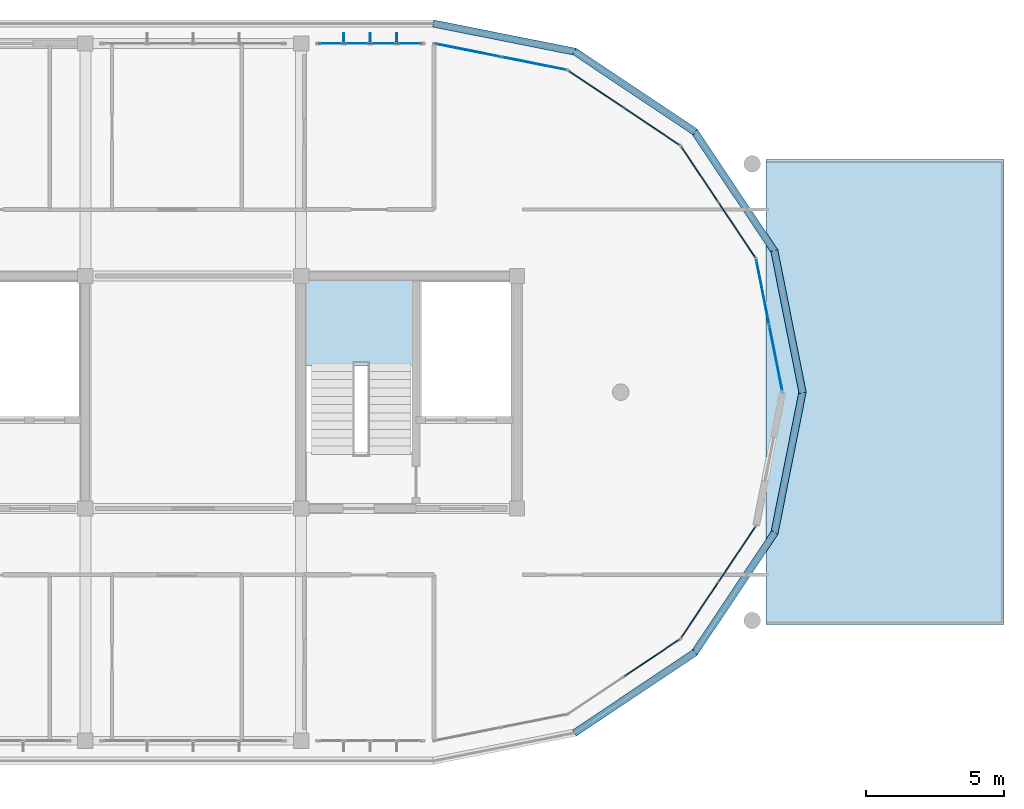
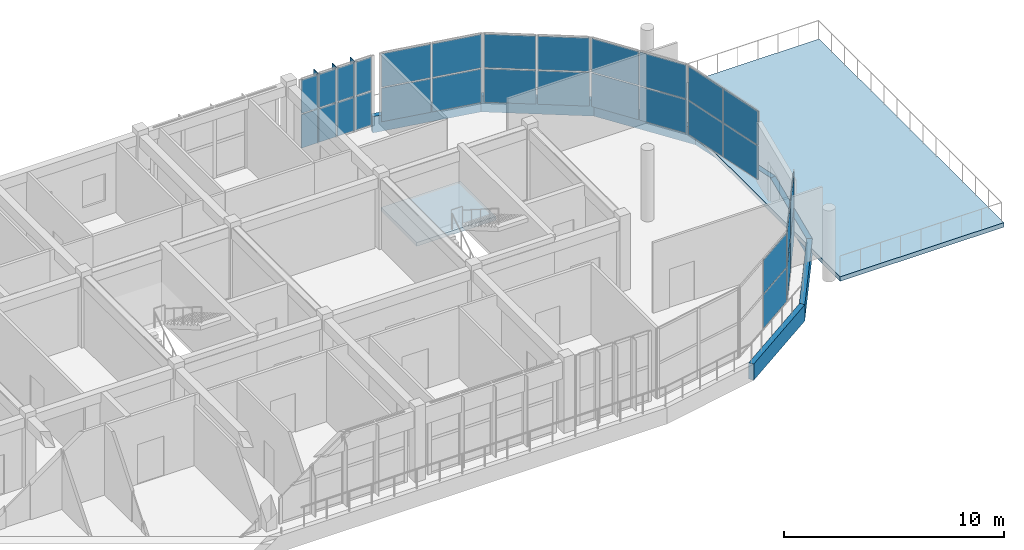
# One storey, part 37 of 44: 40 plates, 2 slabs, 8 elements without a shape of their own.
"""IFC4 building model written with IfcOpenShell, lengths in metres."""

from ifc_helpers import new_model, si_unit, direction, frame, origin, origin_2d, place, context, subcontext, project, spatial, polyline, rectangle, outline, extrude, material, layer, layer_set, type_object, element, aggregate, save


model = new_model("IFC4")

# Units and contexts
model_context = context("Model", 3, precision=1e-05, world=origin(), true_north=direction((0.0, 1.0)))
body_context = subcontext(model_context, "Body", "Model", "MODEL_VIEW")
ifc_project = project(units=[si_unit("LENGTHUNIT", "METRE"), si_unit("AREAUNIT", "SQUARE_METRE"), si_unit("VOLUMEUNIT", "CUBIC_METRE"), si_unit("PLANEANGLEUNIT", "RADIAN"), si_unit("MASSUNIT", "GRAM", prefix="KILO")], contexts=[model_context])

# Site, building, storey
site_placement = place(None, origin())
site = spatial("IfcSite", under=ifc_project, at=site_placement, CompositionType="ELEMENT")
building_placement = place(site_placement, origin())
building = spatial("IfcBuilding", under=site, at=building_placement, Name="Zizhar Promenade General Hospital", CompositionType="ELEMENT")
storey_placement = place(building_placement, frame((0.0, 0.0, 34.800048828125)))
storey = spatial("IfcBuildingStorey", under=building, at=storey_placement, Name="L08", CompositionType="ELEMENT", Elevation=34.800048828125)

# Curtain wall, plates
ifc_material_1 = material(Name="Anodised aluminium 6063-T6 and low-E glass", Category="aluminium")
ifc_layer_1 = layer(ifc_material_1, 0.159912109375)
ifc_layer_set_1 = layer_set([ifc_layer_1], Name="Anodised aluminium 6063-T6 and low-E glass")
curtain_wall_type_1 = type_object("IfcCurtainWallType", Name="CW-WARD-ARC", PredefinedType="NOTDEFINED", material=ifc_layer_set_1)
curtain_wall_1_placement = place(storey_placement, origin())
curtain_wall_1 = element("IfcCurtainWall", 1, at=curtain_wall_1_placement, inside=storey, type_object=curtain_wall_type_1, Name="Ward Semicircular End Glazing L08-02", PredefinedType="NOTDEFINED")
ifc_material_2 = material(Name="Low-E solar-control glass", Category="glass")
ifc_layer_2 = layer(ifc_material_2, 0.031982421875)
ifc_layer_set_2 = layer_set([ifc_layer_2], Name="Low-E solar-control glass")
plate_type_1 = type_object("IfcPlateType", Name="CWP-GLZ-32", PredefinedType="CURTAIN_PANEL", material=ifc_layer_set_2)
plate_1_placement = place(storey_placement, frame((106.275146484375, 2.999267578125, 0.06005859375), z_axis=(0.0, 0.0, 1.0), x_axis=(-0.831461514468, -0.555582352095, 0.0)))
plate_1 = element("IfcPlate", 2, at=plate_1_placement, type_object=plate_type_1, Name="CW-12 panel 1.1", PredefinedType="CURTAIN_PANEL", context=body_context, shape_type="SweptSolid", body=[
    extrude(rectangle(XDim=2.3681640625, YDim=0.031982421875, at=origin_2d()), origin(), (0.0, 0.0, 1.0), 1.860107421875),
])
plate_2_placement = place(storey_placement, frame((106.275146484375, 2.999267578125, 1.97998046875), z_axis=(0.0, 0.0, 1.0), x_axis=(-0.831461514468, -0.555582352095, 0.0)))
plate_2 = element("IfcPlate", 3, at=plate_2_placement, type_object=plate_type_1, Name="CW-12 panel 1.2", PredefinedType="CURTAIN_PANEL", context=body_context, shape_type="SweptSolid", body=[
    extrude(rectangle(XDim=2.3681640625, YDim=0.031982421875, at=origin_2d()), origin(), (0.0, 0.0, 1.0), 1.860107421875),
])
aggregate(curtain_wall_1, [plate_1, plate_2])

curtain_wall_2_placement = place(storey_placement, origin())
curtain_wall_2 = element("IfcCurtainWall", 4, at=curtain_wall_2_placement, inside=storey, type_object=curtain_wall_type_1, Name="Ward Semicircular End Glazing L08-03", PredefinedType="NOTDEFINED")
plate_3_placement = place(storey_placement, frame((109.349609375, 6.743896484375, 0.06005859375), z_axis=(0.0, 0.0, 1.0), x_axis=(-0.555582352095, -0.831461514468, 0.0)))
plate_3 = element("IfcPlate", 5, at=plate_3_placement, type_object=plate_type_1, Name="CW-12 panel 1.1", PredefinedType="CURTAIN_PANEL", context=body_context, shape_type="SweptSolid", body=[
    extrude(rectangle(XDim=2.3681640625, YDim=0.031982421875, at=origin_2d()), origin(), (0.0, 0.0, 1.0), 1.860107421875),
])
plate_4_placement = place(storey_placement, frame((109.349609375, 6.743896484375, 1.97998046875), z_axis=(0.0, 0.0, 1.0), x_axis=(-0.555582352095, -0.831461514468, 0.0)))
plate_4 = element("IfcPlate", 6, at=plate_4_placement, type_object=plate_type_1, Name="CW-12 panel 1.2", PredefinedType="CURTAIN_PANEL", context=body_context, shape_type="SweptSolid", body=[
    extrude(rectangle(XDim=2.3681640625, YDim=0.031982421875, at=origin_2d()), origin(), (0.0, 0.0, 1.0), 1.860107421875),
])
plate_5_placement = place(storey_placement, frame((108.000732421875, 4.724853515625, 0.06005859375), z_axis=(0.0, 0.0, 1.0), x_axis=(-0.555582352095, -0.831461514468, 0.0)))
plate_5 = element("IfcPlate", 7, at=plate_5_placement, type_object=plate_type_1, Name="CW-12 panel 2.1", PredefinedType="CURTAIN_PANEL", context=body_context, shape_type="SweptSolid", body=[
    extrude(rectangle(XDim=2.3681640625, YDim=0.031982421875, at=origin_2d()), origin(), (0.0, 0.0, 1.0), 1.860107421875),
])
plate_6_placement = place(storey_placement, frame((108.000732421875, 4.724853515625, 1.97998046875), z_axis=(0.0, 0.0, 1.0), x_axis=(-0.555582352095, -0.831461514468, 0.0)))
plate_6 = element("IfcPlate", 8, at=plate_6_placement, type_object=plate_type_1, Name="CW-12 panel 2.2", PredefinedType="CURTAIN_PANEL", context=body_context, shape_type="SweptSolid", body=[
    extrude(rectangle(XDim=2.3681640625, YDim=0.031982421875, at=origin_2d()), origin(), (0.0, 0.0, 1.0), 1.860107421875),
])
aggregate(curtain_wall_2, [plate_3, plate_4, plate_5, plate_6])

curtain_wall_3_placement = place(storey_placement, origin())
curtain_wall_3 = element("IfcCurtainWall", 9, at=curtain_wall_3_placement, inside=storey, type_object=curtain_wall_type_1, Name="Ward Semicircular End Glazing L08-05", PredefinedType="NOTDEFINED")
plate_7_placement = place(storey_placement, frame((110.28369140625, 16.20166015625, 0.06005859375), z_axis=(0.0, 0.0, 1.0), x_axis=(0.195087259275, -0.980785889615, 0.0)))
plate_7 = element("IfcPlate", 10, at=plate_7_placement, type_object=plate_type_1, Name="CW-12 panel 1.1", PredefinedType="CURTAIN_PANEL", context=body_context, shape_type="SweptSolid", body=[
    extrude(rectangle(XDim=2.3681640625, YDim=0.031982421875, at=origin_2d()), origin(), (0.0, 0.0, 1.0), 1.860107421875),
])
plate_8_placement = place(storey_placement, frame((110.28369140625, 16.20166015625, 1.97998046875), z_axis=(0.0, 0.0, 1.0), x_axis=(0.195087259275, -0.980785889615, 0.0)))
plate_8 = element("IfcPlate", 11, at=plate_8_placement, type_object=plate_type_1, Name="CW-12 panel 1.2", PredefinedType="CURTAIN_PANEL", context=body_context, shape_type="SweptSolid", body=[
    extrude(rectangle(XDim=2.3681640625, YDim=0.031982421875, at=origin_2d()), origin(), (0.0, 0.0, 1.0), 1.860107421875),
])
plate_9_placement = place(storey_placement, frame((110.75732421875, 13.820068359375, 0.06005859375), z_axis=(0.0, 0.0, 1.0), x_axis=(0.195087259275, -0.980785889615, 0.0)))
plate_9 = element("IfcPlate", 12, at=plate_9_placement, type_object=plate_type_1, Name="CW-12 panel 2.1", PredefinedType="CURTAIN_PANEL", context=body_context, shape_type="SweptSolid", body=[
    extrude(rectangle(XDim=2.3681640625, YDim=0.031982421875, at=origin_2d()), origin(), (0.0, 0.0, 1.0), 1.860107421875),
])
plate_10_placement = place(storey_placement, frame((110.75732421875, 13.820068359375, 1.97998046875), z_axis=(0.0, 0.0, 1.0), x_axis=(0.195087259275, -0.980785889615, 0.0)))
plate_10 = element("IfcPlate", 13, at=plate_10_placement, type_object=plate_type_1, Name="CW-12 panel 2.2", PredefinedType="CURTAIN_PANEL", context=body_context, shape_type="SweptSolid", body=[
    extrude(rectangle(XDim=2.3681640625, YDim=0.031982421875, at=origin_2d()), origin(), (0.0, 0.0, 1.0), 1.860107421875),
])
aggregate(curtain_wall_3, [plate_7, plate_8, plate_9, plate_10])

curtain_wall_4_placement = place(storey_placement, origin())
curtain_wall_4 = element("IfcCurtainWall", 14, at=curtain_wall_4_placement, inside=storey, type_object=curtain_wall_type_1, Name="Ward Semicircular End Glazing L08-06", PredefinedType="NOTDEFINED")
plate_11_placement = place(storey_placement, frame((108.000732421875, 20.47509765625, 0.06005859375), z_axis=(0.0, 0.0, 1.0), x_axis=(0.555582352095, -0.831461514468, 0.0)))
plate_11 = element("IfcPlate", 15, at=plate_11_placement, type_object=plate_type_1, Name="CW-12 panel 1.1", PredefinedType="CURTAIN_PANEL", context=body_context, shape_type="SweptSolid", body=[
    extrude(rectangle(XDim=2.3681640625, YDim=0.031982421875, at=origin_2d()), origin(), (0.0, 0.0, 1.0), 1.860107421875),
])
plate_12_placement = place(storey_placement, frame((108.000732421875, 20.47509765625, 1.97998046875), z_axis=(0.0, 0.0, 1.0), x_axis=(0.555582352095, -0.831461514468, 0.0)))
plate_12 = element("IfcPlate", 16, at=plate_12_placement, type_object=plate_type_1, Name="CW-12 panel 1.2", PredefinedType="CURTAIN_PANEL", context=body_context, shape_type="SweptSolid", body=[
    extrude(rectangle(XDim=2.3681640625, YDim=0.031982421875, at=origin_2d()), origin(), (0.0, 0.0, 1.0), 1.860107421875),
])
plate_13_placement = place(storey_placement, frame((109.349609375, 18.456298828125, 0.06005859375), z_axis=(0.0, 0.0, 1.0), x_axis=(0.555582352095, -0.831461514468, 0.0)))
plate_13 = element("IfcPlate", 17, at=plate_13_placement, type_object=plate_type_1, Name="CW-12 panel 2.1", PredefinedType="CURTAIN_PANEL", context=body_context, shape_type="SweptSolid", body=[
    extrude(rectangle(XDim=2.3681640625, YDim=0.031982421875, at=origin_2d()), origin(), (0.0, 0.0, 1.0), 1.860107421875),
])
plate_14_placement = place(storey_placement, frame((109.349609375, 18.456298828125, 1.97998046875), z_axis=(0.0, 0.0, 1.0), x_axis=(0.555582352095, -0.831461514468, 0.0)))
plate_14 = element("IfcPlate", 18, at=plate_14_placement, type_object=plate_type_1, Name="CW-12 panel 2.2", PredefinedType="CURTAIN_PANEL", context=body_context, shape_type="SweptSolid", body=[
    extrude(rectangle(XDim=2.3681640625, YDim=0.031982421875, at=origin_2d()), origin(), (0.0, 0.0, 1.0), 1.860107421875),
])
aggregate(curtain_wall_4, [plate_11, plate_12, plate_13, plate_14])

curtain_wall_5_placement = place(storey_placement, origin())
curtain_wall_5 = element("IfcCurtainWall", 19, at=curtain_wall_5_placement, inside=storey, type_object=curtain_wall_type_1, Name="Ward Semicircular End Glazing L08-07", PredefinedType="NOTDEFINED")
plate_15_placement = place(storey_placement, frame((104.256103515625, 23.5498046875, 0.06005859375), z_axis=(0.0, 0.0, 1.0), x_axis=(0.831461514468, -0.555582352095, 0.0)))
plate_15 = element("IfcPlate", 20, at=plate_15_placement, type_object=plate_type_1, Name="CW-12 panel 1.1", PredefinedType="CURTAIN_PANEL", context=body_context, shape_type="SweptSolid", body=[
    extrude(rectangle(XDim=2.3681640625, YDim=0.031982421875, at=origin_2d()), origin(), (0.0, 0.0, 1.0), 1.860107421875),
])
plate_16_placement = place(storey_placement, frame((104.256103515625, 23.5498046875, 1.97998046875), z_axis=(0.0, 0.0, 1.0), x_axis=(0.831461514468, -0.555582352095, 0.0)))
plate_16 = element("IfcPlate", 21, at=plate_16_placement, type_object=plate_type_1, Name="CW-12 panel 1.2", PredefinedType="CURTAIN_PANEL", context=body_context, shape_type="SweptSolid", body=[
    extrude(rectangle(XDim=2.3681640625, YDim=0.031982421875, at=origin_2d()), origin(), (0.0, 0.0, 1.0), 1.860107421875),
])
plate_17_placement = place(storey_placement, frame((106.275146484375, 22.20068359375, 0.06005859375), z_axis=(0.0, 0.0, 1.0), x_axis=(0.831461514468, -0.555582352095, 0.0)))
plate_17 = element("IfcPlate", 22, at=plate_17_placement, type_object=plate_type_1, Name="CW-12 panel 2.1", PredefinedType="CURTAIN_PANEL", context=body_context, shape_type="SweptSolid", body=[
    extrude(rectangle(XDim=2.3681640625, YDim=0.031982421875, at=origin_2d()), origin(), (0.0, 0.0, 1.0), 1.860107421875),
])
plate_18_placement = place(storey_placement, frame((106.275146484375, 22.20068359375, 1.97998046875), z_axis=(0.0, 0.0, 1.0), x_axis=(0.831461514468, -0.555582352095, 0.0)))
plate_18 = element("IfcPlate", 23, at=plate_18_placement, type_object=plate_type_1, Name="CW-12 panel 2.2", PredefinedType="CURTAIN_PANEL", context=body_context, shape_type="SweptSolid", body=[
    extrude(rectangle(XDim=2.3681640625, YDim=0.031982421875, at=origin_2d()), origin(), (0.0, 0.0, 1.0), 1.860107421875),
])
aggregate(curtain_wall_5, [plate_15, plate_16, plate_17, plate_18])

curtain_wall_6_placement = place(storey_placement, origin())
curtain_wall_6 = element("IfcCurtainWall", 24, at=curtain_wall_6_placement, inside=storey, type_object=curtain_wall_type_1, Name="Ward Semicircular End Glazing L08-08", PredefinedType="NOTDEFINED")
plate_19_placement = place(storey_placement, frame((99.6201171875, 24.957275390625, 0.06005859375), z_axis=(0.0, 0.0, 1.0), x_axis=(0.980785889615, -0.195087259275, 0.0)))
plate_19 = element("IfcPlate", 25, at=plate_19_placement, type_object=plate_type_1, Name="CW-12 panel 1.1", PredefinedType="CURTAIN_PANEL", context=body_context, shape_type="SweptSolid", body=[
    extrude(rectangle(XDim=2.3681640625, YDim=0.031982421875, at=origin_2d()), origin(), (0.0, 0.0, 1.0), 1.860107421875),
])
plate_20_placement = place(storey_placement, frame((99.6201171875, 24.957275390625, 1.97998046875), z_axis=(0.0, 0.0, 1.0), x_axis=(0.980785889615, -0.195087259275, 0.0)))
plate_20 = element("IfcPlate", 26, at=plate_20_placement, type_object=plate_type_1, Name="CW-12 panel 1.2", PredefinedType="CURTAIN_PANEL", context=body_context, shape_type="SweptSolid", body=[
    extrude(rectangle(XDim=2.3681640625, YDim=0.031982421875, at=origin_2d()), origin(), (0.0, 0.0, 1.0), 1.860107421875),
])
plate_21_placement = place(storey_placement, frame((102.001708984375, 24.483642578125, 0.06005859375), z_axis=(0.0, 0.0, 1.0), x_axis=(0.980785889615, -0.195087259275, 0.0)))
plate_21 = element("IfcPlate", 27, at=plate_21_placement, type_object=plate_type_1, Name="CW-12 panel 2.1", PredefinedType="CURTAIN_PANEL", context=body_context, shape_type="SweptSolid", body=[
    extrude(rectangle(XDim=2.3681640625, YDim=0.031982421875, at=origin_2d()), origin(), (0.0, 0.0, 1.0), 1.860107421875),
])
plate_22_placement = place(storey_placement, frame((102.001708984375, 24.483642578125, 1.97998046875), z_axis=(0.0, 0.0, 1.0), x_axis=(0.980785889615, -0.195087259275, 0.0)))
plate_22 = element("IfcPlate", 28, at=plate_22_placement, type_object=plate_type_1, Name="CW-12 panel 2.2", PredefinedType="CURTAIN_PANEL", context=body_context, shape_type="SweptSolid", body=[
    extrude(rectangle(XDim=2.3681640625, YDim=0.031982421875, at=origin_2d()), origin(), (0.0, 0.0, 1.0), 1.860107421875),
])
aggregate(curtain_wall_6, [plate_19, plate_20, plate_21, plate_22])

ifc_material_3 = material(Name="Anodised aluminium 6063-T6 and low-E glass", Category="aluminium")
ifc_layer_3 = layer(ifc_material_3, 0.159912109375)
ifc_layer_set_3 = layer_set([ifc_layer_3], Name="Anodised aluminium 6063-T6 and low-E glass")
curtain_wall_type_2 = type_object("IfcCurtainWallType", Name="CW-WARD-RIB", PredefinedType="NOTDEFINED", material=ifc_layer_set_3)
curtain_wall_7_placement = place(storey_placement, origin())
curtain_wall_7 = element("IfcCurtainWall", 29, at=curtain_wall_7_placement, inside=storey, type_object=curtain_wall_type_2, Name="Ward Ribbon Curtain Wall L08-8-6", PredefinedType="NOTDEFINED")
plate_23_placement = place(storey_placement, frame((94.679931640625, 25.199951171875, 0.06005859375), z_axis=(0.0, 0.0, 1.0), x_axis=(1.0, 0.0, 0.0)))
plate_23 = element("IfcPlate", 30, at=plate_23_placement, type_object=plate_type_1, Name="CW-13 panel 1.1", PredefinedType="CURTAIN_PANEL", context=body_context, shape_type="SweptSolid", body=[
    extrude(rectangle(XDim=0.840087890625, YDim=0.031982421875, at=origin_2d()), origin(), (0.0, 0.0, 1.0), 1.860107421875),
])
plate_24_placement = place(storey_placement, frame((94.679931640625, 25.199951171875, 1.97998046875), z_axis=(0.0, 0.0, 1.0), x_axis=(1.0, 0.0, 0.0)))
plate_24 = element("IfcPlate", 31, at=plate_24_placement, type_object=plate_type_1, Name="CW-13 panel 1.2", PredefinedType="CURTAIN_PANEL", context=body_context, shape_type="SweptSolid", body=[
    extrude(rectangle(XDim=0.840087890625, YDim=0.031982421875, at=origin_2d()), origin(), (0.0, 0.0, 1.0), 1.860107421875),
])
plate_25_placement = place(storey_placement, frame((95.6201171875, 25.199951171875, 0.06005859375), z_axis=(0.0, 0.0, 1.0), x_axis=(1.0, 0.0, 0.0)))
plate_25 = element("IfcPlate", 32, at=plate_25_placement, type_object=plate_type_1, Name="CW-13 panel 2.1", PredefinedType="CURTAIN_PANEL", context=body_context, shape_type="SweptSolid", body=[
    extrude(rectangle(XDim=0.8798828125, YDim=0.031982421875, at=origin_2d()), origin(), (0.0, 0.0, 1.0), 1.860107421875),
])
plate_26_placement = place(storey_placement, frame((95.6201171875, 25.199951171875, 1.97998046875), z_axis=(0.0, 0.0, 1.0), x_axis=(1.0, 0.0, 0.0)))
plate_26 = element("IfcPlate", 33, at=plate_26_placement, type_object=plate_type_1, Name="CW-13 panel 2.2", PredefinedType="CURTAIN_PANEL", context=body_context, shape_type="SweptSolid", body=[
    extrude(rectangle(XDim=0.8798828125, YDim=0.031982421875, at=origin_2d()), origin(), (0.0, 0.0, 1.0), 1.860107421875),
])
plate_27_placement = place(storey_placement, frame((96.580078125, 25.199951171875, 0.06005859375), z_axis=(0.0, 0.0, 1.0), x_axis=(1.0, 0.0, 0.0)))
plate_27 = element("IfcPlate", 34, at=plate_27_placement, type_object=plate_type_1, Name="CW-13 panel 3.1", PredefinedType="CURTAIN_PANEL", context=body_context, shape_type="SweptSolid", body=[
    extrude(rectangle(XDim=0.8798828125, YDim=0.031982421875, at=origin_2d()), origin(), (0.0, 0.0, 1.0), 1.860107421875),
])
plate_28_placement = place(storey_placement, frame((96.580078125, 25.199951171875, 1.97998046875), z_axis=(0.0, 0.0, 1.0), x_axis=(1.0, 0.0, 0.0)))
plate_28 = element("IfcPlate", 35, at=plate_28_placement, type_object=plate_type_1, Name="CW-13 panel 3.2", PredefinedType="CURTAIN_PANEL", context=body_context, shape_type="SweptSolid", body=[
    extrude(rectangle(XDim=0.8798828125, YDim=0.031982421875, at=origin_2d()), origin(), (0.0, 0.0, 1.0), 1.860107421875),
])
plate_29_placement = place(storey_placement, frame((97.52001953125, 25.199951171875, 0.06005859375), z_axis=(0.0, 0.0, 1.0), x_axis=(1.0, 0.0, 0.0)))
plate_29 = element("IfcPlate", 36, at=plate_29_placement, type_object=plate_type_1, Name="CW-13 panel 4.1", PredefinedType="CURTAIN_PANEL", context=body_context, shape_type="SweptSolid", body=[
    extrude(rectangle(XDim=0.840087890625, YDim=0.031982421875, at=origin_2d()), origin(), (0.0, 0.0, 1.0), 1.860107421875),
])
plate_30_placement = place(storey_placement, frame((97.52001953125, 25.199951171875, 1.97998046875), z_axis=(0.0, 0.0, 1.0), x_axis=(1.0, 0.0, 0.0)))
plate_30 = element("IfcPlate", 37, at=plate_30_placement, type_object=plate_type_1, Name="CW-13 panel 4.2", PredefinedType="CURTAIN_PANEL", context=body_context, shape_type="SweptSolid", body=[
    extrude(rectangle(XDim=0.840087890625, YDim=0.031982421875, at=origin_2d()), origin(), (0.0, 0.0, 1.0), 1.860107421875),
])
aggregate(curtain_wall_7, [plate_23, plate_24, plate_25, plate_26, plate_27, plate_28, plate_29, plate_30])

# Plates
ifc_material_4 = material(Name="Anodised aluminium 6063-T6", Category="aluminium")
ifc_layer_4 = layer(ifc_material_4, 0.035888671875)
ifc_layer_set_4 = layer_set([ifc_layer_4], Name="Anodised aluminium 6063-T6")
plate_type_2 = type_object("IfcPlateType", Name="FIN-ALU-380", PredefinedType="USERDEFINED", material=ifc_layer_set_4)
plate_31_placement = place(storey_placement, origin())
element("IfcPlate", 38, at=plate_31_placement, inside=storey, type_object=plate_type_2, Name="Ward Ribbon Curtain Wall L08-8-6 Solar Fin 1", ObjectType="SOLAR_SHADE", PredefinedType="USERDEFINED", context=body_context, shape_type="SweptSolid", body=[
    extrude(outline(polyline([(95.1220703125, 25.199951171875), (95.157958984375, 25.199951171875), (95.157958984375, 25.580078125), (95.1220703125, 25.580078125), (95.1220703125, 25.199951171875)])), origin(), (0.0, 0.0, 1.0), 3.89990234375),
])
plate_32_placement = place(storey_placement, origin())
element("IfcPlate", 39, at=plate_32_placement, inside=storey, type_object=plate_type_2, Name="Ward Ribbon Curtain Wall L08-8-6 Solar Fin 2", ObjectType="SOLAR_SHADE", PredefinedType="USERDEFINED", context=body_context, shape_type="SweptSolid", body=[
    extrude(outline(polyline([(96.08203125, 25.199951171875), (96.117919921875, 25.199951171875), (96.117919921875, 25.580078125), (96.08203125, 25.580078125), (96.08203125, 25.199951171875)])), origin(), (0.0, 0.0, 1.0), 3.89990234375),
])
plate_33_placement = place(storey_placement, origin())
element("IfcPlate", 40, at=plate_33_placement, inside=storey, type_object=plate_type_2, Name="Ward Ribbon Curtain Wall L08-8-6 Solar Fin 3", ObjectType="SOLAR_SHADE", PredefinedType="USERDEFINED", context=body_context, shape_type="SweptSolid", body=[
    extrude(outline(polyline([(97.0419921875, 25.199951171875), (97.077880859375, 25.199951171875), (97.077880859375, 25.580078125), (97.0419921875, 25.580078125), (97.0419921875, 25.199951171875)])), origin(), (0.0, 0.0, 1.0), 3.89990234375),
])
ifc_material_5 = material(Name="Precast concrete C40/50", Category="concrete")
ifc_layer_5 = layer(ifc_material_5, 0.260009765625)
ifc_layer_set_5 = layer_set([ifc_layer_5], Name="Precast concrete C40/50")
plate_type_3 = type_object("IfcPlateType", Name="PL-PC-BAND950", PredefinedType="USERDEFINED", material=ifc_layer_set_5)
plate_34_placement = place(storey_placement, frame((0.0, 0.0, -0.900146484375)))
element("IfcPlate", 41, at=plate_34_placement, inside=storey, type_object=plate_type_3, Name="Ward Precast Slab Band L08-02", ObjectType="FASCIA_BAND", PredefinedType="USERDEFINED", context=body_context, shape_type="SweptSolid", body=[
    extrude(outline(polyline([(103.547119140625, 0.173828125), (107.91064453125, 3.08935546875), (107.76611328125, 3.3056640625), (103.402587890625, 0.389892578125), (103.547119140625, 0.173828125)])), origin(), (0.0, 0.0, 1.0), 0.900146484375),
])
plate_35_placement = place(storey_placement, frame((0.0, 0.0, -0.900146484375)))
element("IfcPlate", 42, at=plate_35_placement, inside=storey, type_object=plate_type_3, Name="Ward Precast Slab Band L08-03", ObjectType="FASCIA_BAND", PredefinedType="USERDEFINED", context=body_context, shape_type="SweptSolid", body=[
    extrude(outline(polyline([(107.91064453125, 3.08935546875), (110.826171875, 7.452880859375), (110.610107421875, 7.597412109375), (107.6943359375, 3.23388671875), (107.91064453125, 3.08935546875)])), origin(), (0.0, 0.0, 1.0), 0.900146484375),
])
plate_36_placement = place(storey_placement, frame((0.0, 0.0, -0.900146484375)))
element("IfcPlate", 43, at=plate_36_placement, inside=storey, type_object=plate_type_3, Name="Ward Precast Slab Band L08-04", ObjectType="FASCIA_BAND", PredefinedType="USERDEFINED", context=body_context, shape_type="SweptSolid", body=[
    extrude(outline(polyline([(110.826171875, 7.452880859375), (111.85009765625, 12.60009765625), (111.594970703125, 12.650634765625), (110.5712890625, 7.503662109375), (110.826171875, 7.452880859375)])), origin(), (0.0, 0.0, 1.0), 0.900146484375),
])
plate_37_placement = place(storey_placement, frame((0.0, 0.0, -0.900146484375)))
element("IfcPlate", 44, at=plate_37_placement, inside=storey, type_object=plate_type_3, Name="Ward Precast Slab Band L08-05", ObjectType="FASCIA_BAND", PredefinedType="USERDEFINED", context=body_context, shape_type="SweptSolid", body=[
    extrude(outline(polyline([(111.85009765625, 12.60009765625), (110.826171875, 17.7470703125), (110.5712890625, 17.6962890625), (111.594970703125, 12.54931640625), (111.85009765625, 12.60009765625)])), origin(), (0.0, 0.0, 1.0), 0.900146484375),
])
plate_38_placement = place(storey_placement, frame((0.0, 0.0, -0.900146484375)))
element("IfcPlate", 45, at=plate_38_placement, inside=storey, type_object=plate_type_3, Name="Ward Precast Slab Band L08-06", ObjectType="FASCIA_BAND", PredefinedType="USERDEFINED", context=body_context, shape_type="SweptSolid", body=[
    extrude(outline(polyline([(110.826171875, 17.7470703125), (107.91064453125, 22.110595703125), (107.6943359375, 21.96630859375), (110.610107421875, 17.602783203125), (110.826171875, 17.7470703125)])), origin(), (0.0, 0.0, 1.0), 0.900146484375),
])
plate_39_placement = place(storey_placement, frame((0.0, 0.0, -0.900146484375)))
element("IfcPlate", 46, at=plate_39_placement, inside=storey, type_object=plate_type_3, Name="Ward Precast Slab Band L08-07", ObjectType="FASCIA_BAND", PredefinedType="USERDEFINED", context=body_context, shape_type="SweptSolid", body=[
    extrude(outline(polyline([(107.91064453125, 22.110595703125), (103.547119140625, 25.026123046875), (103.402587890625, 24.81005859375), (107.76611328125, 21.894287109375), (107.91064453125, 22.110595703125)])), origin(), (0.0, 0.0, 1.0), 0.900146484375),
])
plate_40_placement = place(storey_placement, frame((0.0, 0.0, -0.900146484375)))
element("IfcPlate", 47, at=plate_40_placement, inside=storey, type_object=plate_type_3, Name="Ward Precast Slab Band L08-08", ObjectType="FASCIA_BAND", PredefinedType="USERDEFINED", context=body_context, shape_type="SweptSolid", body=[
    extrude(outline(polyline([(103.547119140625, 25.026123046875), (98.39990234375, 26.050048828125), (98.349365234375, 25.794921875), (103.496337890625, 24.771240234375), (103.547119140625, 25.026123046875)])), origin(), (0.0, 0.0, 1.0), 0.900146484375),
])

# Stair, slab
ifc_material_6 = material(Name="Concrete C35/45", Category="concrete")
stair_type = type_object("IfcStairType", Name="STR-DOG-420", PredefinedType="HALF_TURN_STAIR", material=ifc_material_6)
stair_placement = place(storey_placement, origin())
stair = element("IfcStair", 48, at=stair_placement, inside=storey, type_object=stair_type, Name="Exit Stair ST-05 (L08 to L09)", PredefinedType="HALF_TURN_STAIR")
ifc_material_7 = material(Name="Concrete C35/45", Category="concrete")
ifc_layer_6 = layer(ifc_material_7, 0.2099609375)
ifc_layer_set_6 = layer_set([ifc_layer_6], Name="Concrete C35/45")
slab_type_1 = type_object("IfcSlabType", Name="SLB-LAND-420", PredefinedType="LANDING", material=ifc_layer_set_6)
slab_1_placement = place(storey_placement, frame((0.0, 0.0, 1.889892578125)))
slab_1 = element("IfcSlab", 49, at=slab_1_placement, type_object=slab_type_1, Name="ST-05C landing 1", PredefinedType="LANDING", context=body_context, shape_type="SweptSolid", body=[
    extrude(outline(polyline([(93.60009765625, 13.570068359375), (97.75, 13.570068359375), (97.75, 16.800048828125), (93.60009765625, 16.800048828125), (93.60009765625, 13.570068359375)])), origin(), (0.0, 0.0, 1.0), 0.2099609375),
])
aggregate(stair, [slab_1])

# Slab
ifc_material_8 = material(Name="Concrete C35/45", Category="concrete")
ifc_layer_7 = layer(ifc_material_8, 0.25)
ifc_layer_set_7 = layer_set([ifc_layer_7], Name="Concrete C35/45")
slab_type_2 = type_object("IfcSlabType", Name="SLB-TERR-250", PredefinedType="ROOF", material=ifc_layer_set_7)
slab_2_placement = place(storey_placement, frame((0.0, 0.0, -0.25)))
element("IfcSlab", 50, at=slab_2_placement, inside=storey, type_object=slab_type_2, Name="Level L08 East Recovery Terrace Slab", PredefinedType="ROOF", context=body_context, shape_type="SweptSolid", body=[
    extrude(outline(polyline([(110.39990234375, 4.199951171875), (119.0, 4.199951171875), (119.0, 21.0), (110.39990234375, 21.0), (110.39990234375, 4.199951171875)])), origin(), (0.0, 0.0, 1.0), 0.25),
])

save(model, "model.ifc")
